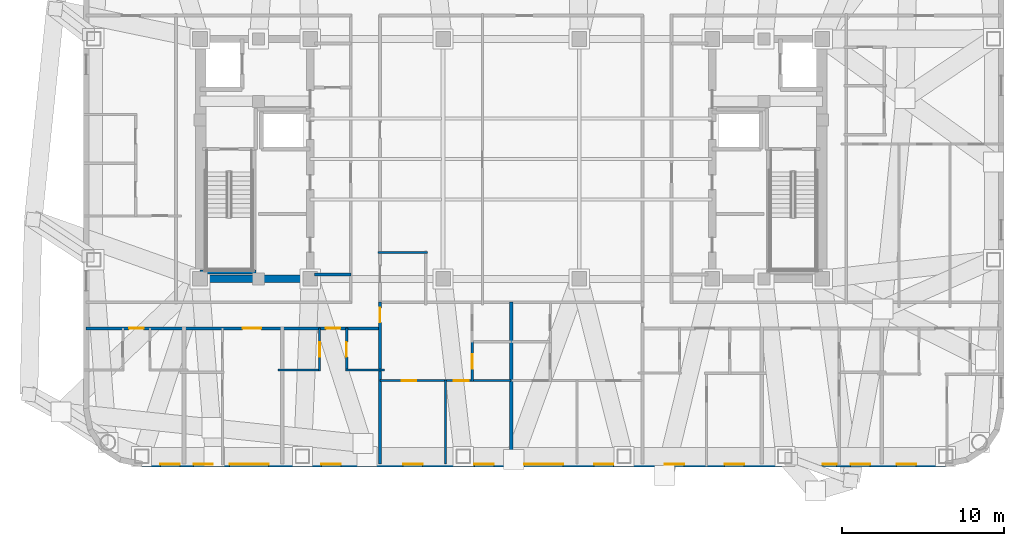
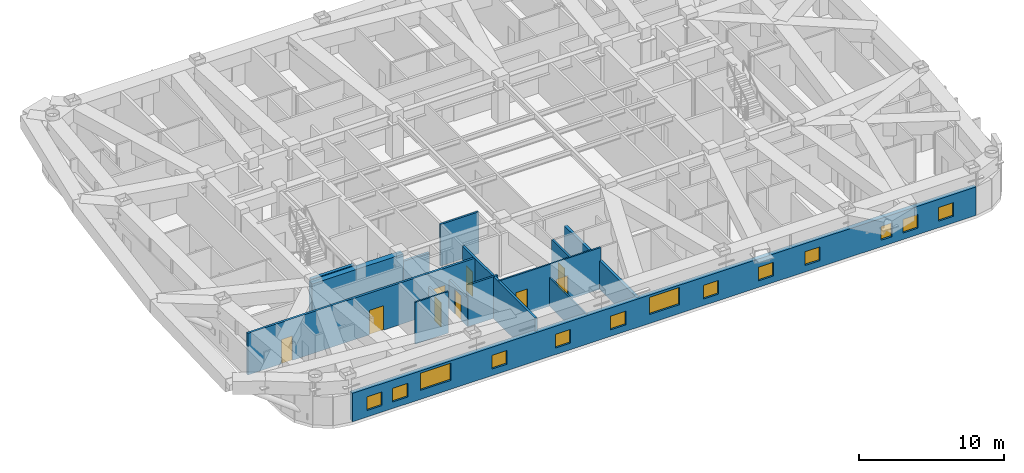
# One storey, part 4 of 12: 15 walls, 13 windows, 9 doors, 22 openings.
"""IFC4 building model written with IfcOpenShell, lengths in metres."""

from ifc_helpers import new_model, si_unit, direction, frame, frame_2d, origin, place, context, subcontext, project, spatial, rectangle, extrude, material, layer, layer_set, type_object, element, fill, save


model = new_model("IFC4")

# Units and contexts
model_context = context("Model", 3, precision=1e-05, world=origin(), true_north=direction((0.0, 1.0)))
body_context = subcontext(model_context, "Body", "Model", "MODEL_VIEW")
ifc_project = project(units=[si_unit("LENGTHUNIT", "METRE"), si_unit("AREAUNIT", "SQUARE_METRE"), si_unit("VOLUMEUNIT", "CUBIC_METRE"), si_unit("PLANEANGLEUNIT", "RADIAN"), si_unit("MASSUNIT", "GRAM", prefix="KILO")], contexts=[model_context])

# Site, building, storey
site_placement = place(None, origin())
site = spatial("IfcSite", under=ifc_project, at=site_placement, CompositionType="ELEMENT")
building_placement = place(site_placement, origin())
building = spatial("IfcBuilding", under=site, at=building_placement, Name="Voryun Gate Residences", CompositionType="ELEMENT")
storey_placement = place(building_placement, frame((0.0, 0.0, 250.89990234375)))
storey = spatial("IfcBuildingStorey", under=building, at=storey_placement, Name="L62", CompositionType="ELEMENT", Elevation=250.89990234375)

# Walls
ifc_material_1 = material(Name="Concrete C50/60", Category="concrete")
ifc_layer_1 = layer(ifc_material_1, 0.449951171875, Name="CW_CORE_450")
ifc_layer_set_1 = layer_set([ifc_layer_1], Name="Concrete C50/60")
wall_type_1 = type_object("IfcWallType", Name="CW_CORE_450", PredefinedType="SHEAR", material=ifc_layer_set_1)
wall_1_placement = place(storey_placement, frame((-19.425048828125, -7.39990234375, 0.0), z_axis=(0.0, 0.0, 1.0), x_axis=(1.0, 0.0, 0.0)))
element("IfcWall", 1, at=wall_1_placement, inside=storey, type_object=wall_type_1, Name="L62 Core shear wall CW-L62-WS", PredefinedType="SHEAR", context=body_context, shape_type="SweptSolid", body=[
    extrude(rectangle(XDim=7.25, YDim=0.449951171875, at=frame_2d((3.625, 0.0))), origin(), (0.0, 0.0, 1.0), 3.5),
])
ifc_material_2 = material(Name="Gypsum acoustic fireboard")
ifc_layer_2 = layer(ifc_material_2, 0.179931640625, Name="W_CORR_RATED_180")
ifc_layer_set_2 = layer_set([ifc_layer_2], Name="Gypsum acoustic fireboard")
wall_type_2 = type_object("IfcWallType", Name="W_CORR_RATED_180", PredefinedType="PARTITIONING", material=ifc_layer_set_2)
wall_2_placement = place(storey_placement, frame((-12.14990234375, -7.1201171875, 0.0), z_axis=(0.0, 0.0, 1.0), x_axis=(1.0, 0.0, 0.0)))
element("IfcWall", 2, at=wall_2_placement, inside=storey, type_object=wall_type_2, Name="Partition wall WP-L62-PLBS-W", PredefinedType="PARTITIONING", context=body_context, shape_type="SweptSolid", body=[
    extrude(rectangle(XDim=2.27001953125, YDim=0.179931640625, at=frame_2d((1.135009765625, 0.0))), origin(), (0.0, 0.0, 1.0), 2.5400390625),
])

# Wall, openings, doors
wall_3_placement = place(storey_placement, frame((-26.22998046875, -10.449951171875, 0.0), z_axis=(0.0, 0.0, 1.0), x_axis=(1.0, 0.0, 0.0)))
wall_3 = element("IfcWall", 3, at=wall_3_placement, inside=storey, type_object=wall_type_2, Name="Partition wall WP-L62-SCORR-W", PredefinedType="PARTITIONING", context=body_context, shape_type="SweptSolid", body=[
    extrude(rectangle(XDim=18.14990234375, YDim=0.179931640625, at=frame_2d((9.074951171875, 0.0))), origin(), (0.0, 0.0, 1.0), 3.5),
])
opening_1_placement = place(wall_3_placement, frame((2.6591796875, 0.0, 0.0)))
opening_1 = element("IfcOpeningElement", 4, at=opening_1_placement, cuts=wall_3, Name="Opening D-INT-2", PredefinedType="OPENING", context=body_context, shape_type="SweptSolid", body=[
    extrude(rectangle(XDim=0.89990234375, YDim=2.050048828125, at=frame_2d((0.449951171875, 1.02490234375))), frame((0.0, 0.099853515625, 0.0), z_axis=(0.0, -1.0, 0.0), x_axis=(1.0, 0.0, 0.0)), (0.0, 0.0, 1.0), 0.199951171875),
])
opening_2_placement = place(wall_3_placement, frame((9.654296875, 0.0, 0.0)))
opening_2 = element("IfcOpeningElement", 5, at=opening_2_placement, cuts=wall_3, Name="Opening D-UNIT-1", PredefinedType="OPENING", context=body_context, shape_type="SweptSolid", body=[
    extrude(rectangle(XDim=1.14990234375, YDim=2.050048828125, at=frame_2d((0.574951171875, 1.02490234375))), frame((0.0, 0.099853515625, 0.0), z_axis=(0.0, -1.0, 0.0), x_axis=(1.0, 0.0, 0.0)), (0.0, 0.0, 1.0), 0.199951171875),
])
opening_3_placement = place(wall_3_placement, frame((14.79248046875, 0.0, 0.0)))
opening_3 = element("IfcOpeningElement", 6, at=opening_3_placement, cuts=wall_3, Name="Opening D-INT-2", PredefinedType="OPENING", context=body_context, shape_type="SweptSolid", body=[
    extrude(rectangle(XDim=0.89990234375, YDim=2.050048828125, at=frame_2d((0.449951171875, 1.02490234375))), frame((0.0, 0.099853515625, 0.0), z_axis=(0.0, -1.0, 0.0), x_axis=(1.0, 0.0, 0.0)), (0.0, 0.0, 1.0), 0.199951171875),
])
ifc_material_3 = material(Name="Architectural oak veneer")
door_type_1 = type_object("IfcDoorType", Name="DR_INT_BATH_900", OperationType="NOTDEFINED", PredefinedType="DOOR", material=ifc_material_3)
door_1_placement = place(opening_1_placement, origin())
door_1 = element("IfcDoor", 7, at=door_1_placement, inside=storey, type_object=door_type_1, Name="Door DR-L62-SENT-1", OperationType="SINGLE_SWING_RIGHT", OverallHeight=2.050048828125, OverallWidth=0.89990234375, PredefinedType="DOOR", context=body_context, shape_type="SweptSolid", body=[
    extrude(rectangle(XDim=0.89990234375, YDim=2.050048828125, at=frame_2d((0.449951171875, 1.02490234375))), frame((0.0, 0.02490234375, 0.0), z_axis=(0.0, -1.0, 0.0), x_axis=(1.0, 0.0, 0.0)), (0.0, 0.0, 1.0), 0.050048828125),
])
fill(opening_1, door_1)
door_2_placement = place(opening_3_placement, origin())
door_2 = element("IfcDoor", 8, at=door_2_placement, inside=storey, type_object=door_type_1, Name="Door DR-L62-SENT-3", OperationType="SINGLE_SWING_RIGHT", OverallHeight=2.050048828125, OverallWidth=0.89990234375, PredefinedType="DOOR", context=body_context, shape_type="SweptSolid", body=[
    extrude(rectangle(XDim=0.89990234375, YDim=2.050048828125, at=frame_2d((0.449951171875, 1.02490234375))), frame((0.0, 0.02490234375, 0.0), z_axis=(0.0, -1.0, 0.0), x_axis=(1.0, 0.0, 0.0)), (0.0, 0.0, 1.0), 0.050048828125),
])
fill(opening_3, door_2)
ifc_material_4 = material(Name="Armoured timber-clad fire door", Category="wood")
door_type_2 = type_object("IfcDoorType", Name="DR_UNIT_ENTRY_1150", OperationType="NOTDEFINED", PredefinedType="DOOR", material=ifc_material_4)
door_3_placement = place(opening_2_placement, origin())
door_3 = element("IfcDoor", 9, at=door_3_placement, inside=storey, type_object=door_type_2, Name="Door DR-L62-SENT-2", OperationType="SINGLE_SWING_LEFT", OverallHeight=2.050048828125, OverallWidth=1.14990234375, PredefinedType="DOOR", context=body_context, shape_type="SweptSolid", body=[
    extrude(rectangle(XDim=1.14990234375, YDim=2.050048828125, at=frame_2d((0.574951171875, 1.02490234375))), frame((0.0, 0.02490234375, 0.0), z_axis=(0.0, -1.0, 0.0), x_axis=(1.0, 0.0, 0.0)), (0.0, 0.0, 1.0), 0.050048828125),
])
fill(opening_2, door_3)

# Wall, opening, door
wall_4_placement = place(storey_placement, frame((-8.10009765625, -18.830078125, 0.0), z_axis=(0.0, 0.0, 1.0), x_axis=(0.0, 1.0, 0.0)))
wall_4 = element("IfcWall", 10, at=wall_4_placement, inside=storey, type_object=wall_type_2, Name="Partition wall WP-L62-SZV-1", PredefinedType="PARTITIONING", context=body_context, shape_type="SweptSolid", body=[
    extrude(rectangle(XDim=9.989990234375, YDim=0.179931640625, at=frame_2d((4.9951171875, 0.0))), origin(), (0.0, 0.0, 1.0), 3.5),
])
opening_4_placement = place(wall_4_placement, frame((8.73974609375, 0.0, 0.0)))
opening_4 = element("IfcOpeningElement", 11, at=opening_4_placement, cuts=wall_4, Name="Opening D-INT-2", PredefinedType="OPENING", context=body_context, shape_type="SweptSolid", body=[
    extrude(rectangle(XDim=0.89990234375, YDim=2.050048828125, at=frame_2d((0.449951171875, 1.02490234375))), frame((0.0, 0.099853515625, 0.0), z_axis=(0.0, -1.0, 0.0), x_axis=(1.0, 0.0, 0.0)), (0.0, 0.0, 1.0), 0.199951171875),
])
door_4_placement = place(opening_4_placement, origin())
door_4 = element("IfcDoor", 12, at=door_4_placement, inside=storey, type_object=door_type_1, Name="Door DR-L62-SZENT-1", OperationType="SINGLE_SWING_LEFT", OverallHeight=2.050048828125, OverallWidth=0.89990234375, PredefinedType="DOOR", context=body_context, shape_type="SweptSolid", body=[
    extrude(rectangle(XDim=0.89990234375, YDim=2.050048828125, at=frame_2d((0.449951171875, 1.02490234375))), frame((0.0, 0.02490234375, 0.0), z_axis=(0.0, -1.0, 0.0), x_axis=(1.0, 0.0, 0.0)), (0.0, 0.0, 1.0), 0.050048828125),
])
fill(opening_4, door_4)

# Wall, openings, windows
ifc_material_5 = material(Name="Charcoal terracotta masonry", Category="masonry")
ifc_layer_3 = layer(ifc_material_5, 0.340087890625, Name="W_EXT_TERRACOTTA_340")
ifc_layer_set_3 = layer_set([ifc_layer_3], Name="Charcoal terracotta masonry")
wall_type_3 = type_object("IfcWallType", Name="W_EXT_TERRACOTTA_340", PredefinedType="ELEMENTEDWALL", material=ifc_layer_set_3)
wall_5_placement = place(storey_placement, frame((26.783203125, -18.830078125, 0.0), z_axis=(0.0, 0.0, 1.0), x_axis=(-1.0, 0.0, 0.0)))
wall_5 = element("IfcWall", 13, at=wall_5_placement, inside=storey, type_object=wall_type_3, Name="Exterior wall WEXT-L62-01", PredefinedType="ELEMENTEDWALL", context=body_context, shape_type="SweptSolid", body=[
    extrude(rectangle(XDim=49.56640625, YDim=0.340087890625, at=frame_2d((24.783203125, 0.0))), origin(), (0.0, 0.0, 1.0), 2.39013671875),
])
opening_5_placement = place(wall_5_placement, frame((23.583251953125, 0.0, 0.75)))
opening_5 = element("IfcOpeningElement", 14, at=opening_5_placement, cuts=wall_5, Name="Opening WN2", PredefinedType="OPENING", context=body_context, shape_type="SweptSolid", body=[
    extrude(rectangle(XDim=2.39990234375, YDim=1.449951171875, at=frame_2d((1.199951171875, 0.72509765625))), frame((0.0, 0.179931640625, 0.0), z_axis=(0.0, -1.0, 0.0), x_axis=(1.0, 0.0, 0.0)), (0.0, 0.0, 1.0), 0.360107421875),
])
opening_6_placement = place(wall_5_placement, frame((41.755615234375, 0.0, 0.75)))
opening_6 = element("IfcOpeningElement", 15, at=opening_6_placement, cuts=wall_5, Name="Opening WN2", PredefinedType="OPENING", context=body_context, shape_type="SweptSolid", body=[
    extrude(rectangle(XDim=2.39990234375, YDim=1.449951171875, at=frame_2d((1.199951171875, 0.72509765625))), frame((0.0, 0.179931640625, 0.0), z_axis=(0.0, -1.0, 0.0), x_axis=(1.0, 0.0, 0.0)), (0.0, 0.0, 1.0), 0.360107421875),
])
opening_7_placement = place(wall_5_placement, frame((47.222412109375, 0.0, 0.550048828125)))
opening_7 = element("IfcOpeningElement", 16, at=opening_7_placement, cuts=wall_5, Name="Opening WN6", PredefinedType="OPENING", context=body_context, shape_type="SweptSolid", body=[
    extrude(rectangle(XDim=1.199951171875, YDim=1.14990234375, at=frame_2d((0.60009765625, 0.574951171875))), frame((0.0, 0.179931640625, 0.0), z_axis=(0.0, -1.0, 0.0), x_axis=(1.0, 0.0, 0.0)), (0.0, 0.0, 1.0), 0.360107421875),
])
opening_8_placement = place(wall_5_placement, frame((45.181396484375, 0.0, 0.550048828125)))
opening_8 = element("IfcOpeningElement", 17, at=opening_8_placement, cuts=wall_5, Name="Opening WN6", PredefinedType="OPENING", context=body_context, shape_type="SweptSolid", body=[
    extrude(rectangle(XDim=1.199951171875, YDim=1.14990234375, at=frame_2d((0.60009765625, 0.574951171875))), frame((0.0, 0.179931640625, 0.0), z_axis=(0.0, -1.0, 0.0), x_axis=(1.0, 0.0, 0.0)), (0.0, 0.0, 1.0), 0.360107421875),
])
opening_9_placement = place(wall_5_placement, frame((37.289306640625, 0.0, 0.550048828125)))
opening_9 = element("IfcOpeningElement", 18, at=opening_9_placement, cuts=wall_5, Name="Opening WN6", PredefinedType="OPENING", context=body_context, shape_type="SweptSolid", body=[
    extrude(rectangle(XDim=1.199951171875, YDim=1.14990234375, at=frame_2d((0.60009765625, 0.574951171875))), frame((0.0, 0.179931640625, 0.0), z_axis=(0.0, -1.0, 0.0), x_axis=(1.0, 0.0, 0.0)), (0.0, 0.0, 1.0), 0.360107421875),
])
opening_10_placement = place(wall_5_placement, frame((16.115234375, 0.0, 0.550048828125)))
opening_10 = element("IfcOpeningElement", 19, at=opening_10_placement, cuts=wall_5, Name="Opening WN6", PredefinedType="OPENING", context=body_context, shape_type="SweptSolid", body=[
    extrude(rectangle(XDim=1.199951171875, YDim=1.14990234375, at=frame_2d((0.60009765625, 0.574951171875))), frame((0.0, 0.179931640625, 0.0), z_axis=(0.0, -1.0, 0.0), x_axis=(1.0, 0.0, 0.0)), (0.0, 0.0, 1.0), 0.360107421875),
])
opening_11_placement = place(wall_5_placement, frame((12.42236328125, 0.0, 0.550048828125)))
opening_11 = element("IfcOpeningElement", 20, at=opening_11_placement, cuts=wall_5, Name="Opening WN6", PredefinedType="OPENING", context=body_context, shape_type="SweptSolid", body=[
    extrude(rectangle(XDim=1.199951171875, YDim=1.14990234375, at=frame_2d((0.60009765625, 0.574951171875))), frame((0.0, 0.179931640625, 0.0), z_axis=(0.0, -1.0, 0.0), x_axis=(1.0, 0.0, 0.0)), (0.0, 0.0, 1.0), 0.360107421875),
])
opening_12_placement = place(wall_5_placement, frame((6.704833984375, 0.0, 0.550048828125)))
opening_12 = element("IfcOpeningElement", 21, at=opening_12_placement, cuts=wall_5, Name="Opening WN9", PredefinedType="OPENING", context=body_context, shape_type="SweptSolid", body=[
    extrude(rectangle(XDim=0.85009765625, YDim=1.14990234375, at=frame_2d((0.425048828125, 0.574951171875))), frame((0.0, 0.179931640625, 0.0), z_axis=(0.0, -1.0, 0.0), x_axis=(1.0, 0.0, 0.0)), (0.0, 0.0, 1.0), 0.360107421875),
])
opening_13_placement = place(wall_5_placement, frame((4.63720703125, 0.0, 0.550048828125)))
opening_13 = element("IfcOpeningElement", 22, at=opening_13_placement, cuts=wall_5, Name="Opening WN6", PredefinedType="OPENING", context=body_context, shape_type="SweptSolid", body=[
    extrude(rectangle(XDim=1.199951171875, YDim=1.14990234375, at=frame_2d((0.60009765625, 0.574951171875))), frame((0.0, 0.179931640625, 0.0), z_axis=(0.0, -1.0, 0.0), x_axis=(1.0, 0.0, 0.0)), (0.0, 0.0, 1.0), 0.360107421875),
])
opening_14_placement = place(wall_5_placement, frame((1.81103515625, 0.0, 0.550048828125)))
opening_14 = element("IfcOpeningElement", 23, at=opening_14_placement, cuts=wall_5, Name="Opening WN6", PredefinedType="OPENING", context=body_context, shape_type="SweptSolid", body=[
    extrude(rectangle(XDim=1.199951171875, YDim=1.14990234375, at=frame_2d((0.60009765625, 0.574951171875))), frame((0.0, 0.179931640625, 0.0), z_axis=(0.0, -1.0, 0.0), x_axis=(1.0, 0.0, 0.0)), (0.0, 0.0, 1.0), 0.360107421875),
])
opening_15_placement = place(wall_5_placement, frame((32.25341796875, 0.0, 0.550048828125)))
opening_15 = element("IfcOpeningElement", 24, at=opening_15_placement, cuts=wall_5, Name="Opening WN6", PredefinedType="OPENING", context=body_context, shape_type="SweptSolid", body=[
    extrude(rectangle(XDim=1.199951171875, YDim=1.14990234375, at=frame_2d((0.60009765625, 0.574951171875))), frame((0.0, 0.179931640625, 0.0), z_axis=(0.0, -1.0, 0.0), x_axis=(1.0, 0.0, 0.0)), (0.0, 0.0, 1.0), 0.360107421875),
])
opening_16_placement = place(wall_5_placement, frame((27.853271484375, 0.0, 0.550048828125)))
opening_16 = element("IfcOpeningElement", 25, at=opening_16_placement, cuts=wall_5, Name="Opening WN6", PredefinedType="OPENING", context=body_context, shape_type="SweptSolid", body=[
    extrude(rectangle(XDim=1.199951171875, YDim=1.14990234375, at=frame_2d((0.60009765625, 0.574951171875))), frame((0.0, 0.179931640625, 0.0), z_axis=(0.0, -1.0, 0.0), x_axis=(1.0, 0.0, 0.0)), (0.0, 0.0, 1.0), 0.360107421875),
])
opening_17_placement = place(wall_5_placement, frame((20.473388671875, 0.0, 0.550048828125)))
opening_17 = element("IfcOpeningElement", 26, at=opening_17_placement, cuts=wall_5, Name="Opening WN6", PredefinedType="OPENING", context=body_context, shape_type="SweptSolid", body=[
    extrude(rectangle(XDim=1.199951171875, YDim=1.14990234375, at=frame_2d((0.60009765625, 0.574951171875))), frame((0.0, 0.179931640625, 0.0), z_axis=(0.0, -1.0, 0.0), x_axis=(1.0, 0.0, 0.0)), (0.0, 0.0, 1.0), 0.360107421875),
])
ifc_material_6 = material(Name="Laminated low-E glass", Category="glass")
window_type_1 = type_object("IfcWindowType", Name="WN_POD_SLOT_1200", PartitioningType="SINGLE_PANEL", PredefinedType="WINDOW", material=ifc_material_6)
window_1_placement = place(opening_7_placement, origin())
window_1 = element("IfcWindow", 27, at=window_1_placement, inside=storey, type_object=window_type_1, Name="Window WN-L62-DWFIX-14", OverallHeight=1.14990234375, OverallWidth=1.199951171875, PartitioningType="SINGLE_PANEL", PredefinedType="WINDOW", context=body_context, shape_type="SweptSolid", body=[
    extrude(rectangle(XDim=1.199951171875, YDim=1.14990234375, at=frame_2d((0.60009765625, 0.574951171875))), frame((0.0, 0.030029296875, 0.0), z_axis=(0.0, -1.0, 0.0), x_axis=(1.0, 0.0, 0.0)), (0.0, 0.0, 1.0), 0.06005859375),
])
fill(opening_7, window_1)
window_2_placement = place(opening_8_placement, origin())
window_2 = element("IfcWindow", 28, at=window_2_placement, inside=storey, type_object=window_type_1, Name="Window WN-L62-DWFIX-15", OverallHeight=1.14990234375, OverallWidth=1.199951171875, PartitioningType="SINGLE_PANEL", PredefinedType="WINDOW", context=body_context, shape_type="SweptSolid", body=[
    extrude(rectangle(XDim=1.199951171875, YDim=1.14990234375, at=frame_2d((0.60009765625, 0.574951171875))), frame((0.0, 0.030029296875, 0.0), z_axis=(0.0, -1.0, 0.0), x_axis=(1.0, 0.0, 0.0)), (0.0, 0.0, 1.0), 0.06005859375),
])
fill(opening_8, window_2)
window_3_placement = place(opening_9_placement, origin())
window_3 = element("IfcWindow", 29, at=window_3_placement, inside=storey, type_object=window_type_1, Name="Window WN-L62-DWFIX-16", OverallHeight=1.14990234375, OverallWidth=1.199951171875, PartitioningType="SINGLE_PANEL", PredefinedType="WINDOW", context=body_context, shape_type="SweptSolid", body=[
    extrude(rectangle(XDim=1.199951171875, YDim=1.14990234375, at=frame_2d((0.60009765625, 0.574951171875))), frame((0.0, 0.030029296875, 0.0), z_axis=(0.0, -1.0, 0.0), x_axis=(1.0, 0.0, 0.0)), (0.0, 0.0, 1.0), 0.06005859375),
])
fill(opening_9, window_3)
window_4_placement = place(opening_10_placement, origin())
window_4 = element("IfcWindow", 30, at=window_4_placement, inside=storey, type_object=window_type_1, Name="Window WN-L62-DWFIX-17", OverallHeight=1.14990234375, OverallWidth=1.199951171875, PartitioningType="SINGLE_PANEL", PredefinedType="WINDOW", context=body_context, shape_type="SweptSolid", body=[
    extrude(rectangle(XDim=1.199951171875, YDim=1.14990234375, at=frame_2d((0.60009765625, 0.574951171875))), frame((0.0, 0.030029296875, 0.0), z_axis=(0.0, -1.0, 0.0), x_axis=(1.0, 0.0, 0.0)), (0.0, 0.0, 1.0), 0.06005859375),
])
fill(opening_10, window_4)
window_5_placement = place(opening_11_placement, origin())
window_5 = element("IfcWindow", 31, at=window_5_placement, inside=storey, type_object=window_type_1, Name="Window WN-L62-DWFIX-18", OverallHeight=1.14990234375, OverallWidth=1.199951171875, PartitioningType="SINGLE_PANEL", PredefinedType="WINDOW", context=body_context, shape_type="SweptSolid", body=[
    extrude(rectangle(XDim=1.199951171875, YDim=1.14990234375, at=frame_2d((0.60009765625, 0.574951171875))), frame((0.0, 0.030029296875, 0.0), z_axis=(0.0, -1.0, 0.0), x_axis=(1.0, 0.0, 0.0)), (0.0, 0.0, 1.0), 0.06005859375),
])
fill(opening_11, window_5)
window_6_placement = place(opening_13_placement, origin())
window_6 = element("IfcWindow", 32, at=window_6_placement, inside=storey, type_object=window_type_1, Name="Window WN-L62-DWFIX-20", OverallHeight=1.14990234375, OverallWidth=1.199951171875, PartitioningType="SINGLE_PANEL", PredefinedType="WINDOW", context=body_context, shape_type="SweptSolid", body=[
    extrude(rectangle(XDim=1.199951171875, YDim=1.14990234375, at=frame_2d((0.60009765625, 0.574951171875))), frame((0.0, 0.030029296875, 0.0), z_axis=(0.0, -1.0, 0.0), x_axis=(1.0, 0.0, 0.0)), (0.0, 0.0, 1.0), 0.06005859375),
])
fill(opening_13, window_6)
window_7_placement = place(opening_14_placement, origin())
window_7 = element("IfcWindow", 33, at=window_7_placement, inside=storey, type_object=window_type_1, Name="Window WN-L62-DWFIX-21", OverallHeight=1.14990234375, OverallWidth=1.199951171875, PartitioningType="SINGLE_PANEL", PredefinedType="WINDOW", context=body_context, shape_type="SweptSolid", body=[
    extrude(rectangle(XDim=1.199951171875, YDim=1.14990234375, at=frame_2d((0.60009765625, 0.574951171875))), frame((0.0, 0.030029296875, 0.0), z_axis=(0.0, -1.0, 0.0), x_axis=(1.0, 0.0, 0.0)), (0.0, 0.0, 1.0), 0.06005859375),
])
fill(opening_14, window_7)
window_8_placement = place(opening_15_placement, origin())
window_8 = element("IfcWindow", 34, at=window_8_placement, inside=storey, type_object=window_type_1, Name="Window WN-L62-DWFIX-23", OverallHeight=1.14990234375, OverallWidth=1.199951171875, PartitioningType="SINGLE_PANEL", PredefinedType="WINDOW", context=body_context, shape_type="SweptSolid", body=[
    extrude(rectangle(XDim=1.199951171875, YDim=1.14990234375, at=frame_2d((0.60009765625, 0.574951171875))), frame((0.0, 0.030029296875, 0.0), z_axis=(0.0, -1.0, 0.0), x_axis=(1.0, 0.0, 0.0)), (0.0, 0.0, 1.0), 0.06005859375),
])
fill(opening_15, window_8)
window_9_placement = place(opening_16_placement, origin())
window_9 = element("IfcWindow", 35, at=window_9_placement, inside=storey, type_object=window_type_1, Name="Window WN-L62-DWFIX-24", OverallHeight=1.14990234375, OverallWidth=1.199951171875, PartitioningType="SINGLE_PANEL", PredefinedType="WINDOW", context=body_context, shape_type="SweptSolid", body=[
    extrude(rectangle(XDim=1.199951171875, YDim=1.14990234375, at=frame_2d((0.60009765625, 0.574951171875))), frame((0.0, 0.030029296875, 0.0), z_axis=(0.0, -1.0, 0.0), x_axis=(1.0, 0.0, 0.0)), (0.0, 0.0, 1.0), 0.06005859375),
])
fill(opening_16, window_9)
window_10_placement = place(opening_17_placement, origin())
window_10 = element("IfcWindow", 36, at=window_10_placement, inside=storey, type_object=window_type_1, Name="Window WN-L62-DWFIX-25", OverallHeight=1.14990234375, OverallWidth=1.199951171875, PartitioningType="SINGLE_PANEL", PredefinedType="WINDOW", context=body_context, shape_type="SweptSolid", body=[
    extrude(rectangle(XDim=1.199951171875, YDim=1.14990234375, at=frame_2d((0.60009765625, 0.574951171875))), frame((0.0, 0.030029296875, 0.0), z_axis=(0.0, -1.0, 0.0), x_axis=(1.0, 0.0, 0.0)), (0.0, 0.0, 1.0), 0.06005859375),
])
fill(opening_17, window_10)
ifc_material_7 = material(Name="Laminated low-E glass", Category="glass")
window_type_2 = type_object("IfcWindowType", Name="WN_RES_CASEMENT_850", PartitioningType="SINGLE_PANEL", PredefinedType="WINDOW", material=ifc_material_7)
window_11_placement = place(opening_12_placement, origin())
window_11 = element("IfcWindow", 37, at=window_11_placement, inside=storey, type_object=window_type_2, Name="Window WN-L62-DWFIX-19", OverallHeight=1.14990234375, OverallWidth=0.85009765625, PartitioningType="SINGLE_PANEL", PredefinedType="WINDOW", context=body_context, shape_type="SweptSolid", body=[
    extrude(rectangle(XDim=0.85009765625, YDim=1.14990234375, at=frame_2d((0.425048828125, 0.574951171875))), frame((0.0, 0.030029296875, 0.0), z_axis=(0.0, -1.0, 0.0), x_axis=(1.0, 0.0, 0.0)), (0.0, 0.0, 1.0), 0.06005859375),
])
fill(opening_12, window_11)
ifc_material_8 = material(Name="Laminated low-E glass", Category="glass")
window_type_3 = type_object("IfcWindowType", Name="WN_RES_WIDE_2400", PartitioningType="SINGLE_PANEL", PredefinedType="WINDOW", material=ifc_material_8)
window_12_placement = place(opening_5_placement, origin())
window_12 = element("IfcWindow", 38, at=window_12_placement, inside=storey, type_object=window_type_3, Name="Window WN-WEXT-L62-01-02", OverallHeight=1.449951171875, OverallWidth=2.39990234375, PartitioningType="SINGLE_PANEL", PredefinedType="WINDOW", context=body_context, shape_type="SweptSolid", body=[
    extrude(rectangle(XDim=2.39990234375, YDim=1.449951171875, at=frame_2d((1.199951171875, 0.72509765625))), frame((0.0, 0.030029296875, 0.0), z_axis=(0.0, -1.0, 0.0), x_axis=(1.0, 0.0, 0.0)), (0.0, 0.0, 1.0), 0.06005859375),
])
fill(opening_5, window_12)
window_13_placement = place(opening_6_placement, origin())
window_13 = element("IfcWindow", 39, at=window_13_placement, inside=storey, type_object=window_type_3, Name="Window WN-WEXT-L62-01-03", OverallHeight=1.449951171875, OverallWidth=2.39990234375, PartitioningType="SINGLE_PANEL", PredefinedType="WINDOW", context=body_context, shape_type="SweptSolid", body=[
    extrude(rectangle(XDim=2.39990234375, YDim=1.449951171875, at=frame_2d((1.199951171875, 0.72509765625))), frame((0.0, 0.030029296875, 0.0), z_axis=(0.0, -1.0, 0.0), x_axis=(1.0, 0.0, 0.0)), (0.0, 0.0, 1.0), 0.06005859375),
])
fill(opening_6, window_13)

# Walls
ifc_material_9 = material(Name="Concrete C40/50", Category="concrete")
ifc_layer_4 = layer(ifc_material_9, 0.219970703125, Name="W_PARTY_ACOUSTIC_220")
ifc_layer_set_4 = layer_set([ifc_layer_4], Name="Concrete C40/50")
wall_type_4 = type_object("IfcWallType", Name="W_PARTY_ACOUSTIC_220", PredefinedType="PARTITIONING", material=ifc_layer_set_4)
wall_6_placement = place(storey_placement, frame((0.0, -18.830078125, 0.0), z_axis=(0.0, 0.0, 1.0), x_axis=(0.0, 1.0, 0.0)))
element("IfcWall", 40, at=wall_6_placement, inside=storey, type_object=wall_type_4, Name="Partition wall WP-L62-SZMID", PredefinedType="PARTITIONING", context=body_context, shape_type="SweptSolid", body=[
    extrude(rectangle(XDim=9.989990234375, YDim=0.219970703125, at=frame_2d((4.9951171875, 0.0))), origin(), (0.0, 0.0, 1.0), 2.39013671875),
])
ifc_material_10 = material(Name="Concrete C50/60", Category="concrete")
ifc_layer_5 = layer(ifc_material_10, 0.25, Name="W_SHAFT_RC250")
ifc_layer_set_5 = layer_set([ifc_layer_5], Name="Concrete C50/60")
wall_type_5 = type_object("IfcWallType", Name="W_SHAFT_RC250", PredefinedType="SOLIDWALL", material=ifc_layer_set_5)
wall_7_placement = place(storey_placement, frame((-19.199951171875, -6.965087890625, 0.0), z_axis=(0.0, 0.0, 1.0), x_axis=(1.0, 0.0, 0.0)))
element("IfcWall", 41, at=wall_7_placement, inside=storey, type_object=wall_type_5, Name="L62 Stair shaft structural wall W-STS", PredefinedType="SOLIDWALL", context=body_context, shape_type="SweptSolid", body=[
    extrude(rectangle(XDim=3.4599609375, YDim=0.25, at=frame_2d((1.72998046875, 0.0))), origin(), (0.0, 0.0, 1.0), 3.5),
])

# Wall, opening, door
ifc_material_11 = material(Name="Gypsum acoustic partition")
ifc_layer_6 = layer(ifc_material_11, 0.125, Name="W_UNIT_PART_125")
ifc_layer_set_6 = layer_set([ifc_layer_6], Name="Gypsum acoustic partition")
wall_type_6 = type_object("IfcWallType", Name="W_UNIT_PART_125", PredefinedType="PARTITIONING", material=ifc_layer_set_6)
wall_8_placement = place(storey_placement, frame((-11.818115234375, -13.080078125, 0.0), z_axis=(0.0, 0.0, 1.0), x_axis=(0.0, 1.0, 0.0)))
wall_8 = element("IfcWall", 42, at=wall_8_placement, inside=storey, type_object=wall_type_6, Name="Partition wall WP-L62-S3-CVK", PredefinedType="PARTITIONING", context=body_context, shape_type="SweptSolid", body=[
    extrude(rectangle(XDim=2.650146484375, YDim=0.125, at=frame_2d((1.3251953125, 0.0))), origin(), (0.0, 0.0, 1.0), 2.39013671875),
])
opening_18_placement = place(wall_8_placement, frame((0.875, 0.0, 0.0)))
opening_18 = element("IfcOpeningElement", 43, at=opening_18_placement, cuts=wall_8, Name="Opening D-INT-2", PredefinedType="OPENING", context=body_context, shape_type="SweptSolid", body=[
    extrude(rectangle(XDim=0.89990234375, YDim=2.050048828125, at=frame_2d((0.449951171875, 1.02490234375))), frame((0.0, 0.072509765625, 0.0), z_axis=(0.0, -1.0, 0.0), x_axis=(1.0, 0.0, 0.0)), (0.0, 0.0, 1.0), 0.14501953125),
])
door_5_placement = place(opening_18_placement, origin())
door_5 = element("IfcDoor", 44, at=door_5_placement, inside=storey, type_object=door_type_1, Name="Door DR-L62-S3-DK", OperationType="SINGLE_SWING_LEFT", OverallHeight=2.050048828125, OverallWidth=0.89990234375, PredefinedType="DOOR", context=body_context, shape_type="SweptSolid", body=[
    extrude(rectangle(XDim=0.89990234375, YDim=2.050048828125, at=frame_2d((0.449951171875, 1.02490234375))), frame((0.0, 0.02490234375, 0.0), z_axis=(0.0, -1.0, 0.0), x_axis=(1.0, 0.0, 0.0)), (0.0, 0.0, 1.0), 0.050048828125),
])
fill(opening_18, door_5)

# Wall
wall_9_placement = place(storey_placement, frame((-14.39208984375, -13.02001953125, 0.0), z_axis=(0.0, 0.0, 1.0), x_axis=(1.0, 0.0, 0.0)))
element("IfcWall", 45, at=wall_9_placement, inside=storey, type_object=wall_type_6, Name="Partition wall WP-L62-S3-CHK", PredefinedType="PARTITIONING", context=body_context, shape_type="SweptSolid", body=[
    extrude(rectangle(XDim=2.634033203125, YDim=0.125, at=frame_2d((1.31689453125, 0.0))), origin(), (0.0, 0.0, 1.0), 3.5),
])

# Wall, openings, doors
wall_10_placement = place(storey_placement, frame((-8.080078125, -13.679931640625, 0.0), z_axis=(0.0, 0.0, 1.0), x_axis=(1.0, 0.0, 0.0)))
wall_10 = element("IfcWall", 46, at=wall_10_placement, inside=storey, type_object=wall_type_6, Name="Partition wall WP-L62-SC1-HZ", PredefinedType="PARTITIONING", context=body_context, shape_type="SweptSolid", body=[
    extrude(rectangle(XDim=8.06005859375, YDim=0.125, at=frame_2d((4.030029296875, 0.0))), origin(), (0.0, 0.0, 1.0), 3.5),
])
opening_19_placement = place(wall_10_placement, frame((1.3232421875, 0.0, 0.0)))
opening_19 = element("IfcOpeningElement", 47, at=opening_19_placement, cuts=wall_10, Name="Opening D-INT-2", PredefinedType="OPENING", context=body_context, shape_type="SweptSolid", body=[
    extrude(rectangle(XDim=0.89990234375, YDim=2.050048828125, at=frame_2d((0.449951171875, 1.02490234375))), frame((0.0, 0.072509765625, 0.0), z_axis=(0.0, -1.0, 0.0), x_axis=(1.0, 0.0, 0.0)), (0.0, 0.0, 1.0), 0.14501953125),
])
opening_20_placement = place(wall_10_placement, frame((4.547119140625, 0.0, 0.0)))
opening_20 = element("IfcOpeningElement", 48, at=opening_20_placement, cuts=wall_10, Name="Opening D-INT-2", PredefinedType="OPENING", context=body_context, shape_type="SweptSolid", body=[
    extrude(rectangle(XDim=0.89990234375, YDim=2.050048828125, at=frame_2d((0.449951171875, 1.02490234375))), frame((0.0, 0.072509765625, 0.0), z_axis=(0.0, -1.0, 0.0), x_axis=(1.0, 0.0, 0.0)), (0.0, 0.0, 1.0), 0.14501953125),
])
door_6_placement = place(opening_19_placement, origin())
door_6 = element("IfcDoor", 49, at=door_6_placement, inside=storey, type_object=door_type_1, Name="Door DR-L62-SC1-DMB", OperationType="SINGLE_SWING_LEFT", OverallHeight=2.050048828125, OverallWidth=0.89990234375, PredefinedType="DOOR", context=body_context, shape_type="SweptSolid", body=[
    extrude(rectangle(XDim=0.89990234375, YDim=2.050048828125, at=frame_2d((0.449951171875, 1.02490234375))), frame((0.0, 0.02490234375, 0.0), z_axis=(0.0, -1.0, 0.0), x_axis=(1.0, 0.0, 0.0)), (0.0, 0.0, 1.0), 0.050048828125),
])
fill(opening_19, door_6)
door_7_placement = place(opening_20_placement, origin())
door_7 = element("IfcDoor", 50, at=door_7_placement, inside=storey, type_object=door_type_1, Name="Door DR-L62-SC1-DBD2", OperationType="SINGLE_SWING_RIGHT", OverallHeight=2.050048828125, OverallWidth=0.89990234375, PredefinedType="DOOR", context=body_context, shape_type="SweptSolid", body=[
    extrude(rectangle(XDim=0.89990234375, YDim=2.050048828125, at=frame_2d((0.449951171875, 1.02490234375))), frame((0.0, 0.02490234375, 0.0), z_axis=(0.0, -1.0, 0.0), x_axis=(1.0, 0.0, 0.0)), (0.0, 0.0, 1.0), 0.050048828125),
])
fill(opening_20, door_7)

# Walls
wall_11_placement = place(storey_placement, frame((-4.050048828125, -18.830078125, 0.0), z_axis=(0.0, 0.0, 1.0), x_axis=(0.0, 1.0, 0.0)))
element("IfcWall", 51, at=wall_11_placement, inside=storey, type_object=wall_type_6, Name="Partition wall WP-L62-SC1-VBD", PredefinedType="PARTITIONING", context=body_context, shape_type="SweptSolid", body=[
    extrude(rectangle(XDim=5.190185546875, YDim=0.125, at=frame_2d((2.59521484375, 0.0))), origin(), (0.0, 0.0, 1.0), 2.39013671875),
])
ifc_material_12 = material(Name="Gypsum moisture-resistant partition")
ifc_layer_7 = layer(ifc_material_12, 0.14990234375, Name="W_WET_PLUMB_150")
ifc_layer_set_7 = layer_set([ifc_layer_7], Name="Gypsum moisture-resistant partition")
wall_type_7 = type_object("IfcWallType", Name="W_WET_PLUMB_150", PredefinedType="PLUMBINGWALL", material=ifc_layer_set_7)
wall_12_placement = place(storey_placement, frame((-8.2099609375, -5.77001953125, 0.0), z_axis=(0.0, 0.0, 1.0), x_axis=(1.0, 0.0, 0.0)))
element("IfcWall", 52, at=wall_12_placement, inside=storey, type_object=wall_type_7, Name="Partition wall WP-L62-CMWCY", PredefinedType="PLUMBINGWALL", context=body_context, shape_type="SweptSolid", body=[
    extrude(rectangle(XDim=3.050048828125, YDim=0.14990234375, at=frame_2d((1.52490234375, 0.0))), origin(), (0.0, 0.0, 1.0), 3.5),
])

# Wall, opening, door
wall_13_placement = place(storey_placement, frame((-10.156982421875, -13.080078125, 0.0), z_axis=(0.0, 0.0, 1.0), x_axis=(0.0, 1.0, 0.0)))
wall_13 = element("IfcWall", 53, at=wall_13_placement, inside=storey, type_object=wall_type_7, Name="Partition wall WP-L62-S3-CVB", PredefinedType="PLUMBINGWALL", context=body_context, shape_type="SweptSolid", body=[
    extrude(rectangle(XDim=2.650146484375, YDim=0.14990234375, at=frame_2d((1.3251953125, 0.0))), origin(), (0.0, 0.0, 1.0), 2.39013671875),
])
opening_21_placement = place(wall_13_placement, frame((0.875, 0.0, 0.0)))
opening_21 = element("IfcOpeningElement", 54, at=opening_21_placement, cuts=wall_13, Name="Opening D-INT-2", PredefinedType="OPENING", context=body_context, shape_type="SweptSolid", body=[
    extrude(rectangle(XDim=0.89990234375, YDim=2.050048828125, at=frame_2d((0.449951171875, 1.02490234375))), frame((0.0, 0.0849609375, 0.0), z_axis=(0.0, -1.0, 0.0), x_axis=(1.0, 0.0, 0.0)), (0.0, 0.0, 1.0), 0.169921875),
])
door_8_placement = place(opening_21_placement, origin())
door_8 = element("IfcDoor", 55, at=door_8_placement, inside=storey, type_object=door_type_1, Name="Door DR-L62-S3-DB", OperationType="SINGLE_SWING_RIGHT", OverallHeight=2.050048828125, OverallWidth=0.89990234375, PredefinedType="DOOR", context=body_context, shape_type="SweptSolid", body=[
    extrude(rectangle(XDim=0.89990234375, YDim=2.050048828125, at=frame_2d((0.449951171875, 1.02490234375))), frame((0.0, 0.02490234375, 0.0), z_axis=(0.0, -1.0, 0.0), x_axis=(1.0, 0.0, 0.0)), (0.0, 0.0, 1.0), 0.050048828125),
])
fill(opening_21, door_8)

# Wall
wall_14_placement = place(storey_placement, frame((-10.217041015625, -13.02001953125, 0.0), z_axis=(0.0, 0.0, 1.0), x_axis=(1.0, 0.0, 0.0)))
element("IfcWall", 56, at=wall_14_placement, inside=storey, type_object=wall_type_7, Name="Partition wall WP-L62-S3-CHB", PredefinedType="PLUMBINGWALL", context=body_context, shape_type="SweptSolid", body=[
    extrude(rectangle(XDim=2.39697265625, YDim=0.14990234375, at=frame_2d((1.198486328125, 0.0))), origin(), (0.0, 0.0, 1.0), 3.5),
])

# Wall, opening, door
wall_15_placement = place(storey_placement, frame((-2.409912109375, -13.719970703125, 0.0), z_axis=(0.0, 0.0, 1.0), x_axis=(0.0, 1.0, 0.0)))
wall_15 = element("IfcWall", 57, at=wall_15_placement, inside=storey, type_object=wall_type_7, Name="Partition wall WP-L62-SC1-VK2", PredefinedType="PLUMBINGWALL", context=body_context, shape_type="SweptSolid", body=[
    extrude(rectangle(XDim=2.469970703125, YDim=0.14990234375, at=frame_2d((1.23486328125, 0.0))), origin(), (0.0, 0.0, 1.0), 3.5),
])
opening_22_placement = place(wall_15_placement, frame((0.784912109375, 0.0, 0.0)))
opening_22 = element("IfcOpeningElement", 58, at=opening_22_placement, cuts=wall_15, Name="Opening D-INT-2", PredefinedType="OPENING", context=body_context, shape_type="SweptSolid", body=[
    extrude(rectangle(XDim=0.89990234375, YDim=2.050048828125, at=frame_2d((0.449951171875, 1.02490234375))), frame((0.0, 0.0849609375, 0.0), z_axis=(0.0, -1.0, 0.0), x_axis=(1.0, 0.0, 0.0)), (0.0, 0.0, 1.0), 0.169921875),
])
door_9_placement = place(opening_22_placement, origin())
door_9 = element("IfcDoor", 59, at=door_9_placement, inside=storey, type_object=door_type_1, Name="Door DR-L62-SC1-DB", OperationType="SINGLE_SWING_RIGHT", OverallHeight=2.050048828125, OverallWidth=0.89990234375, PredefinedType="DOOR", context=body_context, shape_type="SweptSolid", body=[
    extrude(rectangle(XDim=0.89990234375, YDim=2.050048828125, at=frame_2d((0.449951171875, 1.02490234375))), frame((0.0, 0.02490234375, 0.0), z_axis=(0.0, -1.0, 0.0), x_axis=(1.0, 0.0, 0.0)), (0.0, 0.0, 1.0), 0.050048828125),
])
fill(opening_22, door_9)

save(model, "model.ifc")
